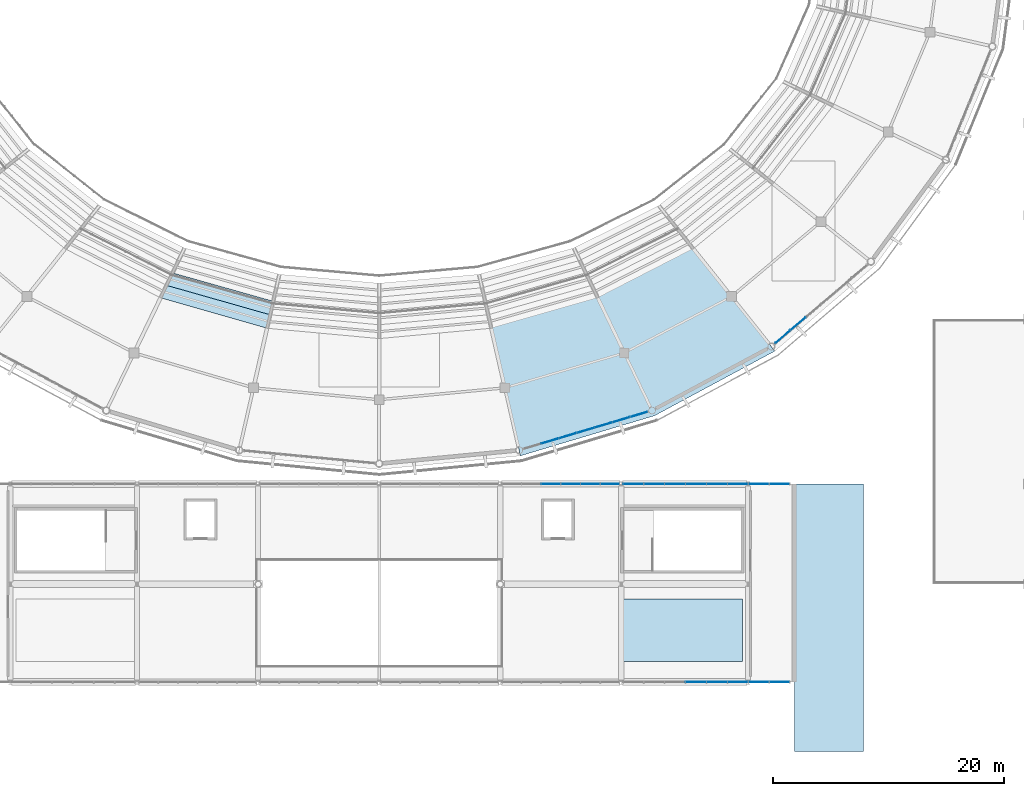
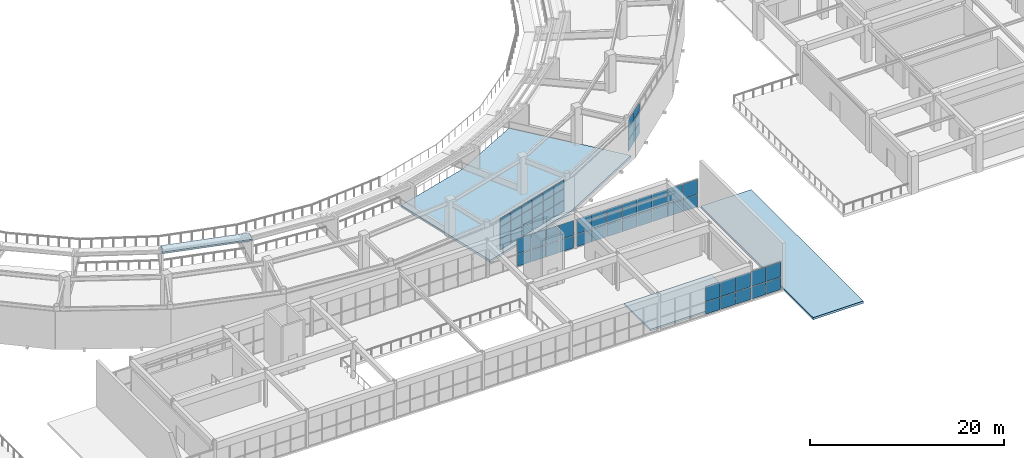
# One storey, part 81 of 122: 58 plates, 5 slabs, 5 elements without a shape of their own.
"""IFC4 building model written with IfcOpenShell, lengths in metres."""

import ifcopenshell
import ifcopenshell.guid

model = None  # the IFC model being written
_history = None  # IfcOwnerHistory: only IFC2X3 demands one
_inside = {}  # id of a spatial element -> (the spatial element, [elements in it])
_under = {}  # id of a project, library or spatial element -> (it, [spatial elements below it])
_declared = {}  # id of a project -> (the project, [libraries it declares])
_typed = {}  # id of a type object -> (the type object, [elements of that type])
_made_of = {}  # id of a material, layer set ... -> (it, [elements and type objects made of it])


def new_model(schema):
    """Start an empty IFC model of exactly this schema.

    Asked for "IFC4X3", IfcOpenShell would pick the latest addendum, in which some entities
    have other attributes; the version numbers below select the first issue.
    IFC2X3 requires an IfcOwnerHistory on every rooted entity: one is made here for all.
    """
    global model, _history
    if schema == "IFC4X3":
        model = ifcopenshell.file(schema_version=(4, 3, 0, 0))
    else:
        model = ifcopenshell.file(schema=schema)
    _inside.clear()
    _under.clear()
    _declared.clear()
    _typed.clear()
    _made_of.clear()
    _history = None
    if model.schema == "IFC2X3":
        org = make("IfcOrganization", Name="unknown")
        user = make(
            "IfcPersonAndOrganization",
            ThePerson=make("IfcPerson", FamilyName="unknown"),
            TheOrganization=org,
        )
        app = make(
            "IfcApplication",
            ApplicationDeveloper=org,
            Version="unknown",
            ApplicationFullName="unknown",
            ApplicationIdentifier="unknown",
        )
        _history = make(
            "IfcOwnerHistory",
            OwningUser=user,
            OwningApplication=app,
            ChangeAction="ADDED",
            CreationDate=0,
        )
    return model


def make(cls, **values):
    """One entity of the class cls with the attributes given. An attribute that is None is left unset."""
    return model.create_entity(
        cls, **{name: value for name, value in values.items() if value is not None}
    )


def rooted(cls, **values):
    """An entity with a GlobalId (a new one), such as an element, a storey or a relation."""
    return make(cls, GlobalId=ifcopenshell.guid.new(), OwnerHistory=_history, **values)


def si_unit(unit_type, name, prefix=None):
    """IfcSIUnit, for example si_unit("LENGTHUNIT", "METRE", prefix="MILLI")."""
    return make("IfcSIUnit", UnitType=unit_type, Prefix=prefix, Name=name)


def assignment(units):
    """IfcUnitAssignment: the units of a project."""
    return None if units is None else make("IfcUnitAssignment", Units=units)


def point(xyz):
    """IfcCartesianPoint."""
    return None if xyz is None else make("IfcCartesianPoint", Coordinates=xyz)


def direction(xyz):
    """IfcDirection."""
    return None if xyz is None else make("IfcDirection", DirectionRatios=xyz)


def frame(location, z_axis=None, x_axis=None):
    """IfcAxis2Placement3D, a coordinate frame: its origin and axes. An axis left out is left unset."""
    return make(
        "IfcAxis2Placement3D",
        Location=point(location),
        Axis=direction(z_axis),
        RefDirection=direction(x_axis),
    )


def frame_2d(location, x_axis=None):
    """IfcAxis2Placement2D, a coordinate frame in the plane: its origin and x axis."""
    return make(
        "IfcAxis2Placement2D", Location=point(location), RefDirection=direction(x_axis)
    )


def origin():
    """The frame at (0, 0, 0) with its axes left unset."""
    return frame((0.0, 0.0, 0.0))


def origin_2d():
    """The frame at (0, 0) in the plane with its x axis left unset."""
    return frame_2d((0.0, 0.0))


def place(relative_to, where):
    """IfcLocalPlacement: puts the frame where relative to a parent placement (None: the world)."""
    return make(
        "IfcLocalPlacement", PlacementRelTo=relative_to, RelativePlacement=where
    )


def context(
    kind, dimensions, precision=None, world=None, true_north=None, identifier=None
):
    """IfcGeometricRepresentationContext, for example the 3D "Model" context."""
    return make(
        "IfcGeometricRepresentationContext",
        ContextIdentifier=identifier,
        ContextType=kind,
        CoordinateSpaceDimension=dimensions,
        Precision=precision,
        WorldCoordinateSystem=world,
        TrueNorth=true_north,
    )


def subcontext(parent, identifier, kind, view, scale=None):
    """IfcGeometricRepresentationSubContext, for example "Body" below "Model"."""
    return make(
        "IfcGeometricRepresentationSubContext",
        ContextIdentifier=identifier,
        ContextType=kind,
        ParentContext=parent,
        TargetScale=scale,
        TargetView=view,
    )


def project(units=None, contexts=None):
    """IfcProject with its units and contexts."""
    return rooted(
        "IfcProject",
        Name="project",
        RepresentationContexts=contexts,
        UnitsInContext=assignment(units),
    )


def spatial(cls, under=None, at=None, **own):
    """A site, building, storey or space (cls), placed at a placement, below another one or the project."""
    s = rooted(cls, ObjectPlacement=at, **own)
    if under is not None:
        _under.setdefault(under.id(), (under, []))[1].append(s)
    return s


def polyline(points):
    """IfcPolyline through the points."""
    return make("IfcPolyline", Points=[point(p) for p in points])


def profile(cls, at=None, kind="AREA", **sizes):
    """A parametric profile (cls). Its sizes go by their IFC names, for example OverallWidth=200.0."""
    return make(cls, ProfileType=kind, Position=at, **sizes)


def rectangle(**sizes):
    """IfcRectangleProfileDef."""
    return profile("IfcRectangleProfileDef", **sizes)


def outline(outer, holes=None, kind="AREA"):
    """IfcArbitraryClosedProfileDef: a profile drawn as a closed curve; with holes, ...WithVoids."""
    if holes is None:
        return make("IfcArbitraryClosedProfileDef", ProfileType=kind, OuterCurve=outer)
    return make(
        "IfcArbitraryProfileDefWithVoids",
        ProfileType=kind,
        OuterCurve=outer,
        InnerCurves=holes,
    )


def extrude(swept, where, along, depth):
    """IfcExtrudedAreaSolid: the profile swept, set in the frame where, extruded along a direction by depth."""
    return make(
        "IfcExtrudedAreaSolid",
        SweptArea=swept,
        Position=where,
        ExtrudedDirection=direction(along),
        Depth=depth,
    )


def shape(context_of_items, identifier, shape_type, items):
    """IfcShapeRepresentation: the items that make up one representation, for example the "Body"."""
    return make(
        "IfcShapeRepresentation",
        ContextOfItems=context_of_items,
        RepresentationIdentifier=identifier,
        RepresentationType=shape_type,
        Items=items,
    )


def material(Name=None, Category=None):
    """IfcMaterial."""
    return make("IfcMaterial", Name=Name, Category=Category)


def layer(
    of_material, thickness, ventilated=None, Name=None, Category=None, Priority=None
):
    """IfcMaterialLayer: one layer of a wall or slab, of a material (None: an air gap)."""
    return make(
        "IfcMaterialLayer",
        Material=of_material,
        LayerThickness=thickness,
        IsVentilated=ventilated,
        Name=Name,
        Category=Category,
        Priority=Priority,
    )


def layer_set(layers, Name=None):
    """IfcMaterialLayerSet."""
    return make("IfcMaterialLayerSet", MaterialLayers=layers, LayerSetName=Name)


def made_of(thing, what):
    """Note that an element or type object is made of a material, layer set ...; save() writes the relation."""
    if what is not None:
        _made_of.setdefault(what.id(), (what, []))[1].append(thing)
    return thing


def type_object(cls, material=None, **own):
    """A type object (cls), such as IfcWallType, which elements share."""
    return made_of(rooted(cls, **own), material)


def element(
    cls,
    number,
    at=None,
    inside=None,
    cuts=None,
    type_object=None,
    material=None,
    context=None,
    identifier="Body",
    shape_type=None,
    held_by="IfcProductDefinitionShape",
    body=None,
    shapes=None,
    **own,
):
    """One element of the class cls, such as IfcWall. Its Tag is "e" and its number.

    at: its placement. inside: the storey or other place that contains it. cuts: it is an
    opening in that element (IfcRelVoidsElement). A single representation is given by context,
    identifier, shape_type and body (its items); several are given by shapes. held_by: the class
    of the entity that holds the representations. save() writes the other relations.
    """
    e = rooted(cls, Tag="e%d" % number, ObjectPlacement=at, **own)
    if body is not None:
        shapes = [shape(context, identifier, shape_type, body)]
    if shapes is not None:
        e.Representation = make(held_by, Representations=shapes)
    if inside is not None:
        _inside.setdefault(inside.id(), (inside, []))[1].append(e)
    if cuts is not None:
        rooted(
            "IfcRelVoidsElement", RelatingBuildingElement=cuts, RelatedOpeningElement=e
        )
    if type_object is not None:
        _typed.setdefault(type_object.id(), (type_object, []))[1].append(e)
    return made_of(e, material)


def aggregate(whole, parts):
    """IfcRelAggregates: a whole, such as a stair, and the parts it consists of."""
    return rooted("IfcRelAggregates", RelatingObject=whole, RelatedObjects=parts)


def save(model, path):
    """Write the relations noted so far, then the file.

    IfcRelAggregates (storeys below a building ...), IfcRelContainedInSpatialStructure (elements
    in a storey), IfcRelDefinesByType, IfcRelAssociatesMaterial and IfcRelDeclares: one each for
    every whole, place, type object, material and project.
    """
    for whole, parts in _under.values():
        aggregate(whole, parts)
    for where, things in _inside.values():
        rooted(
            "IfcRelContainedInSpatialStructure",
            RelatedElements=things,
            RelatingStructure=where,
        )
    for kind, things in _typed.values():
        rooted("IfcRelDefinesByType", RelatedObjects=things, RelatingType=kind)
    for what, things in _made_of.values():
        rooted("IfcRelAssociatesMaterial", RelatedObjects=things, RelatingMaterial=what)
    for by, libraries in _declared.values():
        rooted("IfcRelDeclares", RelatingContext=by, RelatedDefinitions=libraries)
    model.write(path)


model = new_model("IFC4")

# Units and contexts
model_context = context("Model", 3, precision=1e-05, world=origin(), true_north=direction((0.0, 1.0)))
body_context = subcontext(model_context, "Body", "Model", "MODEL_VIEW")
ifc_project = project(units=[si_unit("LENGTHUNIT", "METRE"), si_unit("AREAUNIT", "SQUARE_METRE"), si_unit("VOLUMEUNIT", "CUBIC_METRE"), si_unit("PLANEANGLEUNIT", "RADIAN"), si_unit("MASSUNIT", "GRAM", prefix="KILO")], contexts=[model_context])

# Site, building, storey
site_placement = place(None, origin())
site = spatial("IfcSite", under=ifc_project, at=site_placement, CompositionType="ELEMENT")
building_placement = place(site_placement, origin())
building = spatial("IfcBuilding", under=site, at=building_placement, Name="Cuetzalor Civic Arena", CompositionType="ELEMENT")
storey_placement = place(building_placement, frame((0.0, 0.0, 16.199951171875)))
storey = spatial("IfcBuildingStorey", under=building, at=storey_placement, Name="L03", CompositionType="ELEMENT", Elevation=16.199951171875)

# Curtain wall, plates
ifc_material_1 = material(Name="Anodised dark bronze aluminium and low-E solar glass", Category="aluminium")
curtain_wall_type_1 = type_object("IfcCurtainWallType", Name="UnitisedCW_11300x4050", PredefinedType="USERDEFINED", material=ifc_material_1)
curtain_wall_1_placement = place(storey_placement, origin())
curtain_wall_1 = element("IfcCurtainWall", 1, at=curtain_wall_1_placement, inside=storey, type_object=curtain_wall_type_1, Name="Drum Triangle Foyer Curtain Wall L03-054", ObjectType="UNITISED CURTAIN WALL", PredefinedType="USERDEFINED")
ifc_material_2 = material(Name="Acoustic laminated solar control glass", Category="glass")
ifc_layer_1 = layer(ifc_material_2, 0.0439453125)
ifc_layer_set_1 = layer_set([ifc_layer_1], Name="Acoustic laminated solar control glass")
plate_type_1 = type_object("IfcPlateType", Name="AcousticTripleGlazedPanel_44", PredefinedType="CURTAIN_PANEL", material=ifc_layer_set_1)
plate_1_placement = place(storey_placement, frame((22.532470703125, -42.279296875, 0.06494140625), z_axis=(0.0, 0.0, 1.0), x_axis=(-0.958193690548, -0.286120344251, 0.0)))
plate_1 = element("IfcPlate", 2, at=plate_1_placement, type_object=plate_type_1, Name="CW-15 panel 1.1", PredefinedType="CURTAIN_PANEL", context=body_context, shape_type="SweptSolid", body=[
    extrude(rectangle(XDim=1.518310546875, YDim=0.0439453125, at=origin_2d()), origin(), (0.0, 0.0, 1.0), 1.361572265625),
])
plate_2_placement = place(storey_placement, frame((22.532470703125, -42.279296875, 1.491455078125), z_axis=(0.0, 0.0, 1.0), x_axis=(-0.958193690548, -0.286120344251, 0.0)))
plate_2 = element("IfcPlate", 3, at=plate_2_placement, type_object=plate_type_1, Name="CW-15 panel 1.2", PredefinedType="CURTAIN_PANEL", context=body_context, shape_type="SweptSolid", body=[
    extrude(rectangle(XDim=1.518310546875, YDim=0.0439453125, at=origin_2d()), origin(), (0.0, 0.0, 1.0), 1.39404296875),
])
plate_3_placement = place(storey_placement, frame((22.532470703125, -42.279296875, 2.950439453125), z_axis=(0.0, 0.0, 1.0), x_axis=(-0.958193690548, -0.286120344251, 0.0)))
plate_3 = element("IfcPlate", 4, at=plate_3_placement, type_object=plate_type_1, Name="CW-15 panel 1.3", PredefinedType="CURTAIN_PANEL", context=body_context, shape_type="SweptSolid", body=[
    extrude(rectangle(XDim=1.518310546875, YDim=0.0439453125, at=origin_2d()), origin(), (0.0, 0.0, 1.0), 1.03759765625),
])
plate_4_placement = place(storey_placement, frame((20.999755859375, -42.73681640625, 0.06494140625), z_axis=(0.0, 0.0, 1.0), x_axis=(-0.958193690548, -0.286120344251, 0.0)))
plate_4 = element("IfcPlate", 5, at=plate_4_placement, type_object=plate_type_1, Name="CW-15 panel 2.1", PredefinedType="CURTAIN_PANEL", context=body_context, shape_type="SweptSolid", body=[
    extrude(rectangle(XDim=1.55078125, YDim=0.0439453125, at=origin_2d()), origin(), (0.0, 0.0, 1.0), 1.361572265625),
])
plate_5_placement = place(storey_placement, frame((20.999755859375, -42.73681640625, 1.491455078125), z_axis=(0.0, 0.0, 1.0), x_axis=(-0.958193690548, -0.286120344251, 0.0)))
plate_5 = element("IfcPlate", 6, at=plate_5_placement, type_object=plate_type_1, Name="CW-15 panel 2.2", PredefinedType="CURTAIN_PANEL", context=body_context, shape_type="SweptSolid", body=[
    extrude(rectangle(XDim=1.55078125, YDim=0.0439453125, at=origin_2d()), origin(), (0.0, 0.0, 1.0), 1.39404296875),
])
plate_6_placement = place(storey_placement, frame((20.999755859375, -42.73681640625, 2.950439453125), z_axis=(0.0, 0.0, 1.0), x_axis=(-0.958193690548, -0.286120344251, 0.0)))
plate_6 = element("IfcPlate", 7, at=plate_6_placement, type_object=plate_type_1, Name="CW-15 panel 2.3", PredefinedType="CURTAIN_PANEL", context=body_context, shape_type="SweptSolid", body=[
    extrude(rectangle(XDim=1.55078125, YDim=0.0439453125, at=origin_2d()), origin(), (0.0, 0.0, 1.0), 1.03759765625),
])
plate_7_placement = place(storey_placement, frame((19.45166015625, -43.19921875, 0.06494140625), z_axis=(0.0, 0.0, 1.0), x_axis=(-0.958193690548, -0.286120344251, 0.0)))
plate_7 = element("IfcPlate", 8, at=plate_7_placement, type_object=plate_type_1, Name="CW-15 panel 3.1", PredefinedType="CURTAIN_PANEL", context=body_context, shape_type="SweptSolid", body=[
    extrude(rectangle(XDim=1.55078125, YDim=0.0439453125, at=origin_2d()), origin(), (0.0, 0.0, 1.0), 1.361572265625),
])
plate_8_placement = place(storey_placement, frame((19.45166015625, -43.19921875, 1.491455078125), z_axis=(0.0, 0.0, 1.0), x_axis=(-0.958193690548, -0.286120344251, 0.0)))
plate_8 = element("IfcPlate", 9, at=plate_8_placement, type_object=plate_type_1, Name="CW-15 panel 3.2", PredefinedType="CURTAIN_PANEL", context=body_context, shape_type="SweptSolid", body=[
    extrude(rectangle(XDim=1.55078125, YDim=0.0439453125, at=origin_2d()), origin(), (0.0, 0.0, 1.0), 1.39404296875),
])
plate_9_placement = place(storey_placement, frame((19.45166015625, -43.19921875, 2.950439453125), z_axis=(0.0, 0.0, 1.0), x_axis=(-0.958193690548, -0.286120344251, 0.0)))
plate_9 = element("IfcPlate", 10, at=plate_9_placement, type_object=plate_type_1, Name="CW-15 panel 3.3", PredefinedType="CURTAIN_PANEL", context=body_context, shape_type="SweptSolid", body=[
    extrude(rectangle(XDim=1.55078125, YDim=0.0439453125, at=origin_2d()), origin(), (0.0, 0.0, 1.0), 1.03759765625),
])
plate_10_placement = place(storey_placement, frame((17.903564453125, -43.66162109375, 0.06494140625), z_axis=(0.0, 0.0, 1.0), x_axis=(-0.958193690548, -0.286120344251, 0.0)))
plate_10 = element("IfcPlate", 11, at=plate_10_placement, type_object=plate_type_1, Name="CW-15 panel 4.1", PredefinedType="CURTAIN_PANEL", context=body_context, shape_type="SweptSolid", body=[
    extrude(rectangle(XDim=1.55078125, YDim=0.0439453125, at=origin_2d()), origin(), (0.0, 0.0, 1.0), 1.361572265625),
])
plate_11_placement = place(storey_placement, frame((17.903564453125, -43.66162109375, 1.491455078125), z_axis=(0.0, 0.0, 1.0), x_axis=(-0.958193690548, -0.286120344251, 0.0)))
plate_11 = element("IfcPlate", 12, at=plate_11_placement, type_object=plate_type_1, Name="CW-15 panel 4.2", PredefinedType="CURTAIN_PANEL", context=body_context, shape_type="SweptSolid", body=[
    extrude(rectangle(XDim=1.55078125, YDim=0.0439453125, at=origin_2d()), origin(), (0.0, 0.0, 1.0), 1.39404296875),
])
plate_12_placement = place(storey_placement, frame((17.903564453125, -43.66162109375, 2.950439453125), z_axis=(0.0, 0.0, 1.0), x_axis=(-0.958193690548, -0.286120344251, 0.0)))
plate_12 = element("IfcPlate", 13, at=plate_12_placement, type_object=plate_type_1, Name="CW-15 panel 4.3", PredefinedType="CURTAIN_PANEL", context=body_context, shape_type="SweptSolid", body=[
    extrude(rectangle(XDim=1.55078125, YDim=0.0439453125, at=origin_2d()), origin(), (0.0, 0.0, 1.0), 1.03759765625),
])
plate_13_placement = place(storey_placement, frame((16.355224609375, -44.123779296875, 0.06494140625), z_axis=(0.0, 0.0, 1.0), x_axis=(-0.958193690548, -0.286120344251, 0.0)))
plate_13 = element("IfcPlate", 14, at=plate_13_placement, type_object=plate_type_1, Name="CW-15 panel 5.1", PredefinedType="CURTAIN_PANEL", context=body_context, shape_type="SweptSolid", body=[
    extrude(rectangle(XDim=1.55078125, YDim=0.0439453125, at=origin_2d()), origin(), (0.0, 0.0, 1.0), 1.361572265625),
])
plate_14_placement = place(storey_placement, frame((16.355224609375, -44.123779296875, 1.491455078125), z_axis=(0.0, 0.0, 1.0), x_axis=(-0.958193690548, -0.286120344251, 0.0)))
plate_14 = element("IfcPlate", 15, at=plate_14_placement, type_object=plate_type_1, Name="CW-15 panel 5.2", PredefinedType="CURTAIN_PANEL", context=body_context, shape_type="SweptSolid", body=[
    extrude(rectangle(XDim=1.55078125, YDim=0.0439453125, at=origin_2d()), origin(), (0.0, 0.0, 1.0), 1.39404296875),
])
plate_15_placement = place(storey_placement, frame((16.355224609375, -44.123779296875, 2.950439453125), z_axis=(0.0, 0.0, 1.0), x_axis=(-0.958193690548, -0.286120344251, 0.0)))
plate_15 = element("IfcPlate", 16, at=plate_15_placement, type_object=plate_type_1, Name="CW-15 panel 5.3", PredefinedType="CURTAIN_PANEL", context=body_context, shape_type="SweptSolid", body=[
    extrude(rectangle(XDim=1.55078125, YDim=0.0439453125, at=origin_2d()), origin(), (0.0, 0.0, 1.0), 1.03759765625),
])
plate_16_placement = place(storey_placement, frame((14.80712890625, -44.586181640625, 0.06494140625), z_axis=(0.0, 0.0, 1.0), x_axis=(-0.958193690548, -0.286120344251, 0.0)))
plate_16 = element("IfcPlate", 17, at=plate_16_placement, type_object=plate_type_1, Name="CW-15 panel 6.1", PredefinedType="CURTAIN_PANEL", context=body_context, shape_type="SweptSolid", body=[
    extrude(rectangle(XDim=1.55078125, YDim=0.0439453125, at=origin_2d()), origin(), (0.0, 0.0, 1.0), 1.361572265625),
])
plate_17_placement = place(storey_placement, frame((14.80712890625, -44.586181640625, 1.491455078125), z_axis=(0.0, 0.0, 1.0), x_axis=(-0.958193690548, -0.286120344251, 0.0)))
plate_17 = element("IfcPlate", 18, at=plate_17_placement, type_object=plate_type_1, Name="CW-15 panel 6.2", PredefinedType="CURTAIN_PANEL", context=body_context, shape_type="SweptSolid", body=[
    extrude(rectangle(XDim=1.55078125, YDim=0.0439453125, at=origin_2d()), origin(), (0.0, 0.0, 1.0), 1.39404296875),
])
plate_18_placement = place(storey_placement, frame((14.80712890625, -44.586181640625, 2.950439453125), z_axis=(0.0, 0.0, 1.0), x_axis=(-0.958193690548, -0.286120344251, 0.0)))
plate_18 = element("IfcPlate", 19, at=plate_18_placement, type_object=plate_type_1, Name="CW-15 panel 6.3", PredefinedType="CURTAIN_PANEL", context=body_context, shape_type="SweptSolid", body=[
    extrude(rectangle(XDim=1.55078125, YDim=0.0439453125, at=origin_2d()), origin(), (0.0, 0.0, 1.0), 1.03759765625),
])
aggregate(curtain_wall_1, [plate_1, plate_2, plate_3, plate_4, plate_5, plate_6, plate_7, plate_8, plate_9, plate_10, plate_11, plate_12, plate_13, plate_14, plate_15, plate_16, plate_17, plate_18])

ifc_material_3 = material(Name="Anodised dark bronze aluminium and low-E solar glass", Category="aluminium")
curtain_wall_type_2 = type_object("IfcCurtainWallType", Name="UnitisedCW_10550x4050", PredefinedType="USERDEFINED", material=ifc_material_3)
curtain_wall_2_placement = place(storey_placement, origin())
curtain_wall_2 = element("IfcCurtainWall", 20, at=curtain_wall_2_placement, inside=storey, type_object=curtain_wall_type_2, Name="Drum Triangle Foyer Curtain Wall L03-055", ObjectType="UNITISED CURTAIN WALL", PredefinedType="USERDEFINED")
plate_19_placement = place(storey_placement, frame((36.327392578125, -34.41796875, 0.06494140625), z_axis=(0.0, 0.0, 1.0), x_axis=(-0.760677142663, -0.64913040649, 0.0)))
plate_19 = element("IfcPlate", 21, at=plate_19_placement, type_object=plate_type_1, Name="CW-16 panel 5.1", PredefinedType="CURTAIN_PANEL", context=body_context, shape_type="SweptSolid", body=[
    extrude(rectangle(XDim=1.690185546875, YDim=0.0439453125, at=origin_2d()), origin(), (0.0, 0.0, 1.0), 1.361572265625),
])
plate_20_placement = place(storey_placement, frame((36.327392578125, -34.41796875, 1.491455078125), z_axis=(0.0, 0.0, 1.0), x_axis=(-0.760677142663, -0.64913040649, 0.0)))
plate_20 = element("IfcPlate", 22, at=plate_20_placement, type_object=plate_type_1, Name="CW-16 panel 5.2", PredefinedType="CURTAIN_PANEL", context=body_context, shape_type="SweptSolid", body=[
    extrude(rectangle(XDim=1.690185546875, YDim=0.0439453125, at=origin_2d()), origin(), (0.0, 0.0, 1.0), 1.39404296875),
])
plate_21_placement = place(storey_placement, frame((36.327392578125, -34.41796875, 2.950439453125), z_axis=(0.0, 0.0, 1.0), x_axis=(-0.760677142663, -0.64913040649, 0.0)))
plate_21 = element("IfcPlate", 23, at=plate_21_placement, type_object=plate_type_1, Name="CW-16 panel 5.3", PredefinedType="CURTAIN_PANEL", context=body_context, shape_type="SweptSolid", body=[
    extrude(rectangle(XDim=1.690185546875, YDim=0.0439453125, at=origin_2d()), origin(), (0.0, 0.0, 1.0), 1.03759765625),
])
plate_22_placement = place(storey_placement, frame((35.004638671875, -35.546630859375, 0.06494140625), z_axis=(0.0, 0.0, 1.0), x_axis=(-0.760677142663, -0.64913040649, 0.0)))
plate_22 = element("IfcPlate", 24, at=plate_22_placement, type_object=plate_type_1, Name="CW-16 panel 6.1", PredefinedType="CURTAIN_PANEL", context=body_context, shape_type="SweptSolid", body=[
    extrude(rectangle(XDim=1.65771484375, YDim=0.0439453125, at=origin_2d()), origin(), (0.0, 0.0, 1.0), 1.361572265625),
])
plate_23_placement = place(storey_placement, frame((35.004638671875, -35.546630859375, 1.491455078125), z_axis=(0.0, 0.0, 1.0), x_axis=(-0.760677142663, -0.64913040649, 0.0)))
plate_23 = element("IfcPlate", 25, at=plate_23_placement, type_object=plate_type_1, Name="CW-16 panel 6.2", PredefinedType="CURTAIN_PANEL", context=body_context, shape_type="SweptSolid", body=[
    extrude(rectangle(XDim=1.65771484375, YDim=0.0439453125, at=origin_2d()), origin(), (0.0, 0.0, 1.0), 1.39404296875),
])
plate_24_placement = place(storey_placement, frame((35.004638671875, -35.546630859375, 2.950439453125), z_axis=(0.0, 0.0, 1.0), x_axis=(-0.760677142663, -0.64913040649, 0.0)))
plate_24 = element("IfcPlate", 26, at=plate_24_placement, type_object=plate_type_1, Name="CW-16 panel 6.3", PredefinedType="CURTAIN_PANEL", context=body_context, shape_type="SweptSolid", body=[
    extrude(rectangle(XDim=1.65771484375, YDim=0.0439453125, at=origin_2d()), origin(), (0.0, 0.0, 1.0), 1.03759765625),
])
aggregate(curtain_wall_2, [plate_19, plate_20, plate_21, plate_22, plate_23, plate_24])

# Slab
ifc_material_4 = material(Name="Concrete C40/50", Category="concrete")
ifc_layer_2 = layer(ifc_material_4, 0.219970703125)
ifc_layer_set_2 = layer_set([ifc_layer_2], Name="Concrete C40/50")
slab_type_1 = type_object("IfcSlabType", Name="LiftShaftRoofCapSlab_220", PredefinedType="ROOF", material=ifc_layer_set_2)
slab_1_placement = place(storey_placement, frame((0.0, 0.0, -1.199951171875)))
element("IfcSlab", 27, at=slab_1_placement, inside=storey, type_object=slab_type_1, Name="Stair Core Enclosure Cap Slab ST-12", PredefinedType="ROOF", context=body_context, shape_type="SweptSolid", body=[
    extrude(outline(polyline([(21.080078125, -63.719970703125), (31.52001953125, -63.719970703125), (31.52001953125, -58.280029296875), (21.080078125, -58.280029296875), (21.080078125, -63.719970703125)])), origin(), (0.0, 0.0, 1.0), 0.219970703125),
])

# Curtain wall, plates
ifc_material_5 = material(Name="Anodised dark bronze aluminium and low-E solar glass", Category="aluminium")
curtain_wall_type_3 = type_object("IfcCurtainWallType", Name="StickCW_10250x3600", PredefinedType="USERDEFINED", material=ifc_material_5)
curtain_wall_3_placement = place(storey_placement, origin())
curtain_wall_3 = element("IfcCurtainWall", 28, at=curtain_wall_3_placement, inside=storey, type_object=curtain_wall_type_3, Name="Foyer North Clerestory Curtain Wall L03-100", ObjectType="STICK CURTAIN WALL", PredefinedType="USERDEFINED")
ifc_material_6 = material(Name="Low-E laminated solar control glass", Category="glass")
ifc_layer_3 = layer(ifc_material_6, 0.031982421875)
ifc_layer_set_3 = layer_set([ifc_layer_3], Name="Low-E laminated solar control glass")
plate_type_2 = type_object("IfcPlateType", Name="SolarControlGlazedPanel_32", PredefinedType="CURTAIN_PANEL", material=ifc_layer_set_3)
plate_25_placement = place(storey_placement, frame((14.895751953125, -48.300048828125, 0.06494140625), z_axis=(0.0, 0.0, 1.0), x_axis=(1.0, 0.0, 0.0)))
plate_25 = element("IfcPlate", 29, at=plate_25_placement, type_object=plate_type_2, Name="CW-29 panel 3.1", PredefinedType="CURTAIN_PANEL", context=body_context, shape_type="SweptSolid", body=[
    extrude(rectangle(XDim=1.6435546875, YDim=0.031982421875, at=origin_2d()), origin(), (0.0, 0.0, 1.0), 1.531494140625),
])
plate_26_placement = place(storey_placement, frame((14.895751953125, -48.300048828125, 1.66162109375), z_axis=(0.0, 0.0, 1.0), x_axis=(1.0, 0.0, 0.0)))
plate_26 = element("IfcPlate", 30, at=plate_26_placement, type_object=plate_type_2, Name="CW-29 panel 3.2", PredefinedType="CURTAIN_PANEL", context=body_context, shape_type="SweptSolid", body=[
    extrude(rectangle(XDim=1.6435546875, YDim=0.031982421875, at=origin_2d()), origin(), (0.0, 0.0, 1.0), 1.8935546875),
])
plate_27_placement = place(storey_placement, frame((16.604248046875, -48.300048828125, 0.06494140625), z_axis=(0.0, 0.0, 1.0), x_axis=(1.0, 0.0, 0.0)))
plate_27 = element("IfcPlate", 31, at=plate_27_placement, type_object=plate_type_2, Name="CW-29 panel 4.1", PredefinedType="CURTAIN_PANEL", context=body_context, shape_type="SweptSolid", body=[
    extrude(rectangle(XDim=1.6435546875, YDim=0.031982421875, at=origin_2d()), origin(), (0.0, 0.0, 1.0), 1.531494140625),
])
plate_28_placement = place(storey_placement, frame((16.604248046875, -48.300048828125, 1.66162109375), z_axis=(0.0, 0.0, 1.0), x_axis=(1.0, 0.0, 0.0)))
plate_28 = element("IfcPlate", 32, at=plate_28_placement, type_object=plate_type_2, Name="CW-29 panel 4.2", PredefinedType="CURTAIN_PANEL", context=body_context, shape_type="SweptSolid", body=[
    extrude(rectangle(XDim=1.6435546875, YDim=0.031982421875, at=origin_2d()), origin(), (0.0, 0.0, 1.0), 1.8935546875),
])
plate_29_placement = place(storey_placement, frame((18.312744140625, -48.300048828125, 0.06494140625), z_axis=(0.0, 0.0, 1.0), x_axis=(1.0, 0.0, 0.0)))
plate_29 = element("IfcPlate", 33, at=plate_29_placement, type_object=plate_type_2, Name="CW-29 panel 5.1", PredefinedType="CURTAIN_PANEL", context=body_context, shape_type="SweptSolid", body=[
    extrude(rectangle(XDim=1.6435546875, YDim=0.031982421875, at=origin_2d()), origin(), (0.0, 0.0, 1.0), 1.531494140625),
])
plate_30_placement = place(storey_placement, frame((18.312744140625, -48.300048828125, 1.66162109375), z_axis=(0.0, 0.0, 1.0), x_axis=(1.0, 0.0, 0.0)))
plate_30 = element("IfcPlate", 34, at=plate_30_placement, type_object=plate_type_2, Name="CW-29 panel 5.2", PredefinedType="CURTAIN_PANEL", context=body_context, shape_type="SweptSolid", body=[
    extrude(rectangle(XDim=1.6435546875, YDim=0.031982421875, at=origin_2d()), origin(), (0.0, 0.0, 1.0), 1.8935546875),
])
plate_31_placement = place(storey_placement, frame((20.0048828125, -48.300048828125, 0.06494140625), z_axis=(0.0, 0.0, 1.0), x_axis=(1.0, 0.0, 0.0)))
plate_31 = element("IfcPlate", 35, at=plate_31_placement, type_object=plate_type_2, Name="CW-29 panel 6.1", PredefinedType="CURTAIN_PANEL", context=body_context, shape_type="SweptSolid", body=[
    extrude(rectangle(XDim=1.611083984375, YDim=0.031982421875, at=origin_2d()), origin(), (0.0, 0.0, 1.0), 1.531494140625),
])
plate_32_placement = place(storey_placement, frame((20.0048828125, -48.300048828125, 1.66162109375), z_axis=(0.0, 0.0, 1.0), x_axis=(1.0, 0.0, 0.0)))
plate_32 = element("IfcPlate", 36, at=plate_32_placement, type_object=plate_type_2, Name="CW-29 panel 6.2", PredefinedType="CURTAIN_PANEL", context=body_context, shape_type="SweptSolid", body=[
    extrude(rectangle(XDim=1.611083984375, YDim=0.031982421875, at=origin_2d()), origin(), (0.0, 0.0, 1.0), 1.8935546875),
])
aggregate(curtain_wall_3, [plate_25, plate_26, plate_27, plate_28, plate_29, plate_30, plate_31, plate_32])

ifc_material_7 = material(Name="Anodised dark bronze aluminium and low-E solar glass", Category="aluminium")
curtain_wall_type_4 = type_object("IfcCurtainWallType", Name="StickCW_14550x3600", PredefinedType="USERDEFINED", material=ifc_material_7)
curtain_wall_4_placement = place(storey_placement, origin())
curtain_wall_4 = element("IfcCurtainWall", 37, at=curtain_wall_4_placement, inside=storey, type_object=curtain_wall_type_4, Name="Foyer Vault Clerestory Curtain Wall L03-101", ObjectType="STICK CURTAIN WALL", PredefinedType="USERDEFINED")
plate_33_placement = place(storey_placement, frame((34.725830078125, -65.5, 0.06494140625), z_axis=(0.0, 0.0, 1.0), x_axis=(-1.0, 0.0, 0.0)))
plate_33 = element("IfcPlate", 38, at=plate_33_placement, type_object=plate_type_2, Name="CW-28 panel 1.1", PredefinedType="CURTAIN_PANEL", context=body_context, shape_type="SweptSolid", body=[
    extrude(rectangle(XDim=1.71826171875, YDim=0.031982421875, at=origin_2d()), origin(), (0.0, 0.0, 1.0), 1.531494140625),
])
plate_34_placement = place(storey_placement, frame((34.725830078125, -65.5, 1.66162109375), z_axis=(0.0, 0.0, 1.0), x_axis=(-1.0, 0.0, 0.0)))
plate_34 = element("IfcPlate", 39, at=plate_34_placement, type_object=plate_type_2, Name="CW-28 panel 1.2", PredefinedType="CURTAIN_PANEL", context=body_context, shape_type="SweptSolid", body=[
    extrude(rectangle(XDim=1.71826171875, YDim=0.031982421875, at=origin_2d()), origin(), (0.0, 0.0, 1.0), 1.8935546875),
])
plate_35_placement = place(storey_placement, frame((32.926513671875, -65.5, 0.06494140625), z_axis=(0.0, 0.0, 1.0), x_axis=(-1.0, 0.0, 0.0)))
plate_35 = element("IfcPlate", 40, at=plate_35_placement, type_object=plate_type_2, Name="CW-28 panel 2.1", PredefinedType="CURTAIN_PANEL", context=body_context, shape_type="SweptSolid", body=[
    extrude(rectangle(XDim=1.750732421875, YDim=0.031982421875, at=origin_2d()), origin(), (0.0, 0.0, 1.0), 1.531494140625),
])
plate_36_placement = place(storey_placement, frame((32.926513671875, -65.5, 1.66162109375), z_axis=(0.0, 0.0, 1.0), x_axis=(-1.0, 0.0, 0.0)))
plate_36 = element("IfcPlate", 41, at=plate_36_placement, type_object=plate_type_2, Name="CW-28 panel 2.2", PredefinedType="CURTAIN_PANEL", context=body_context, shape_type="SweptSolid", body=[
    extrude(rectangle(XDim=1.750732421875, YDim=0.031982421875, at=origin_2d()), origin(), (0.0, 0.0, 1.0), 1.8935546875),
])
plate_37_placement = place(storey_placement, frame((31.11083984375, -65.5, 0.06494140625), z_axis=(0.0, 0.0, 1.0), x_axis=(-1.0, 0.0, 0.0)))
plate_37 = element("IfcPlate", 42, at=plate_37_placement, type_object=plate_type_2, Name="CW-28 panel 3.1", PredefinedType="CURTAIN_PANEL", context=body_context, shape_type="SweptSolid", body=[
    extrude(rectangle(XDim=1.750732421875, YDim=0.031982421875, at=origin_2d()), origin(), (0.0, 0.0, 1.0), 1.531494140625),
])
plate_38_placement = place(storey_placement, frame((31.11083984375, -65.5, 1.66162109375), z_axis=(0.0, 0.0, 1.0), x_axis=(-1.0, 0.0, 0.0)))
plate_38 = element("IfcPlate", 43, at=plate_38_placement, type_object=plate_type_2, Name="CW-28 panel 3.2", PredefinedType="CURTAIN_PANEL", context=body_context, shape_type="SweptSolid", body=[
    extrude(rectangle(XDim=1.750732421875, YDim=0.031982421875, at=origin_2d()), origin(), (0.0, 0.0, 1.0), 1.8935546875),
])
plate_39_placement = place(storey_placement, frame((29.295166015625, -65.5, 0.06494140625), z_axis=(0.0, 0.0, 1.0), x_axis=(-1.0, 0.0, 0.0)))
plate_39 = element("IfcPlate", 44, at=plate_39_placement, type_object=plate_type_2, Name="CW-28 panel 4.1", PredefinedType="CURTAIN_PANEL", context=body_context, shape_type="SweptSolid", body=[
    extrude(rectangle(XDim=1.750732421875, YDim=0.031982421875, at=origin_2d()), origin(), (0.0, 0.0, 1.0), 1.531494140625),
])
plate_40_placement = place(storey_placement, frame((29.295166015625, -65.5, 1.66162109375), z_axis=(0.0, 0.0, 1.0), x_axis=(-1.0, 0.0, 0.0)))
plate_40 = element("IfcPlate", 45, at=plate_40_placement, type_object=plate_type_2, Name="CW-28 panel 4.2", PredefinedType="CURTAIN_PANEL", context=body_context, shape_type="SweptSolid", body=[
    extrude(rectangle(XDim=1.750732421875, YDim=0.031982421875, at=origin_2d()), origin(), (0.0, 0.0, 1.0), 1.8935546875),
])
plate_41_placement = place(storey_placement, frame((27.4794921875, -65.5, 0.06494140625), z_axis=(0.0, 0.0, 1.0), x_axis=(-1.0, 0.0, 0.0)))
plate_41 = element("IfcPlate", 46, at=plate_41_placement, type_object=plate_type_2, Name="CW-28 panel 5.1", PredefinedType="CURTAIN_PANEL", context=body_context, shape_type="SweptSolid", body=[
    extrude(rectangle(XDim=1.750732421875, YDim=0.031982421875, at=origin_2d()), origin(), (0.0, 0.0, 1.0), 1.531494140625),
])
plate_42_placement = place(storey_placement, frame((27.4794921875, -65.5, 1.66162109375), z_axis=(0.0, 0.0, 1.0), x_axis=(-1.0, 0.0, 0.0)))
plate_42 = element("IfcPlate", 47, at=plate_42_placement, type_object=plate_type_2, Name="CW-28 panel 5.2", PredefinedType="CURTAIN_PANEL", context=body_context, shape_type="SweptSolid", body=[
    extrude(rectangle(XDim=1.750732421875, YDim=0.031982421875, at=origin_2d()), origin(), (0.0, 0.0, 1.0), 1.8935546875),
])
aggregate(curtain_wall_4, [plate_33, plate_34, plate_35, plate_36, plate_37, plate_38, plate_39, plate_40, plate_41, plate_42])

curtain_wall_5_placement = place(storey_placement, origin())
curtain_wall_5 = element("IfcCurtainWall", 48, at=curtain_wall_5_placement, inside=storey, type_object=curtain_wall_type_4, Name="Foyer North Clerestory Curtain Wall L03-102", ObjectType="STICK CURTAIN WALL", PredefinedType="USERDEFINED")
plate_43_placement = place(storey_placement, frame((22.048583984375, -48.300048828125, 0.06494140625), z_axis=(0.0, 0.0, 1.0), x_axis=(1.0, 0.0, 0.0)))
plate_43 = element("IfcPlate", 49, at=plate_43_placement, type_object=plate_type_2, Name="CW-28 panel 1.1", PredefinedType="CURTAIN_PANEL", context=body_context, shape_type="SweptSolid", body=[
    extrude(rectangle(XDim=1.71826171875, YDim=0.031982421875, at=origin_2d()), origin(), (0.0, 0.0, 1.0), 1.531494140625),
])
plate_44_placement = place(storey_placement, frame((22.048583984375, -48.300048828125, 1.66162109375), z_axis=(0.0, 0.0, 1.0), x_axis=(1.0, 0.0, 0.0)))
plate_44 = element("IfcPlate", 50, at=plate_44_placement, type_object=plate_type_2, Name="CW-28 panel 1.2", PredefinedType="CURTAIN_PANEL", context=body_context, shape_type="SweptSolid", body=[
    extrude(rectangle(XDim=1.71826171875, YDim=0.031982421875, at=origin_2d()), origin(), (0.0, 0.0, 1.0), 1.8935546875),
])
plate_45_placement = place(storey_placement, frame((23.84814453125, -48.300048828125, 0.06494140625), z_axis=(0.0, 0.0, 1.0), x_axis=(1.0, 0.0, 0.0)))
plate_45 = element("IfcPlate", 51, at=plate_45_placement, type_object=plate_type_2, Name="CW-28 panel 2.1", PredefinedType="CURTAIN_PANEL", context=body_context, shape_type="SweptSolid", body=[
    extrude(rectangle(XDim=1.750732421875, YDim=0.031982421875, at=origin_2d()), origin(), (0.0, 0.0, 1.0), 1.531494140625),
])
plate_46_placement = place(storey_placement, frame((23.84814453125, -48.300048828125, 1.66162109375), z_axis=(0.0, 0.0, 1.0), x_axis=(1.0, 0.0, 0.0)))
plate_46 = element("IfcPlate", 52, at=plate_46_placement, type_object=plate_type_2, Name="CW-28 panel 2.2", PredefinedType="CURTAIN_PANEL", context=body_context, shape_type="SweptSolid", body=[
    extrude(rectangle(XDim=1.750732421875, YDim=0.031982421875, at=origin_2d()), origin(), (0.0, 0.0, 1.0), 1.8935546875),
])
plate_47_placement = place(storey_placement, frame((25.663818359375, -48.300048828125, 0.06494140625), z_axis=(0.0, 0.0, 1.0), x_axis=(1.0, 0.0, 0.0)))
plate_47 = element("IfcPlate", 53, at=plate_47_placement, type_object=plate_type_2, Name="CW-28 panel 3.1", PredefinedType="CURTAIN_PANEL", context=body_context, shape_type="SweptSolid", body=[
    extrude(rectangle(XDim=1.750732421875, YDim=0.031982421875, at=origin_2d()), origin(), (0.0, 0.0, 1.0), 1.531494140625),
])
plate_48_placement = place(storey_placement, frame((25.663818359375, -48.300048828125, 1.66162109375), z_axis=(0.0, 0.0, 1.0), x_axis=(1.0, 0.0, 0.0)))
plate_48 = element("IfcPlate", 54, at=plate_48_placement, type_object=plate_type_2, Name="CW-28 panel 3.2", PredefinedType="CURTAIN_PANEL", context=body_context, shape_type="SweptSolid", body=[
    extrude(rectangle(XDim=1.750732421875, YDim=0.031982421875, at=origin_2d()), origin(), (0.0, 0.0, 1.0), 1.8935546875),
])
plate_49_placement = place(storey_placement, frame((27.4794921875, -48.300048828125, 0.06494140625), z_axis=(0.0, 0.0, 1.0), x_axis=(1.0, 0.0, 0.0)))
plate_49 = element("IfcPlate", 55, at=plate_49_placement, type_object=plate_type_2, Name="CW-28 panel 4.1", PredefinedType="CURTAIN_PANEL", context=body_context, shape_type="SweptSolid", body=[
    extrude(rectangle(XDim=1.750732421875, YDim=0.031982421875, at=origin_2d()), origin(), (0.0, 0.0, 1.0), 1.531494140625),
])
plate_50_placement = place(storey_placement, frame((27.4794921875, -48.300048828125, 1.66162109375), z_axis=(0.0, 0.0, 1.0), x_axis=(1.0, 0.0, 0.0)))
plate_50 = element("IfcPlate", 56, at=plate_50_placement, type_object=plate_type_2, Name="CW-28 panel 4.2", PredefinedType="CURTAIN_PANEL", context=body_context, shape_type="SweptSolid", body=[
    extrude(rectangle(XDim=1.750732421875, YDim=0.031982421875, at=origin_2d()), origin(), (0.0, 0.0, 1.0), 1.8935546875),
])
plate_51_placement = place(storey_placement, frame((29.295166015625, -48.300048828125, 0.06494140625), z_axis=(0.0, 0.0, 1.0), x_axis=(1.0, 0.0, 0.0)))
plate_51 = element("IfcPlate", 57, at=plate_51_placement, type_object=plate_type_2, Name="CW-28 panel 5.1", PredefinedType="CURTAIN_PANEL", context=body_context, shape_type="SweptSolid", body=[
    extrude(rectangle(XDim=1.750732421875, YDim=0.031982421875, at=origin_2d()), origin(), (0.0, 0.0, 1.0), 1.531494140625),
])
plate_52_placement = place(storey_placement, frame((29.295166015625, -48.300048828125, 1.66162109375), z_axis=(0.0, 0.0, 1.0), x_axis=(1.0, 0.0, 0.0)))
plate_52 = element("IfcPlate", 58, at=plate_52_placement, type_object=plate_type_2, Name="CW-28 panel 5.2", PredefinedType="CURTAIN_PANEL", context=body_context, shape_type="SweptSolid", body=[
    extrude(rectangle(XDim=1.750732421875, YDim=0.031982421875, at=origin_2d()), origin(), (0.0, 0.0, 1.0), 1.8935546875),
])
plate_53_placement = place(storey_placement, frame((31.11083984375, -48.300048828125, 0.06494140625), z_axis=(0.0, 0.0, 1.0), x_axis=(1.0, 0.0, 0.0)))
plate_53 = element("IfcPlate", 59, at=plate_53_placement, type_object=plate_type_2, Name="CW-28 panel 6.1", PredefinedType="CURTAIN_PANEL", context=body_context, shape_type="SweptSolid", body=[
    extrude(rectangle(XDim=1.750732421875, YDim=0.031982421875, at=origin_2d()), origin(), (0.0, 0.0, 1.0), 1.531494140625),
])
plate_54_placement = place(storey_placement, frame((31.11083984375, -48.300048828125, 1.66162109375), z_axis=(0.0, 0.0, 1.0), x_axis=(1.0, 0.0, 0.0)))
plate_54 = element("IfcPlate", 60, at=plate_54_placement, type_object=plate_type_2, Name="CW-28 panel 6.2", PredefinedType="CURTAIN_PANEL", context=body_context, shape_type="SweptSolid", body=[
    extrude(rectangle(XDim=1.750732421875, YDim=0.031982421875, at=origin_2d()), origin(), (0.0, 0.0, 1.0), 1.8935546875),
])
plate_55_placement = place(storey_placement, frame((32.926513671875, -48.300048828125, 0.06494140625), z_axis=(0.0, 0.0, 1.0), x_axis=(1.0, 0.0, 0.0)))
plate_55 = element("IfcPlate", 61, at=plate_55_placement, type_object=plate_type_2, Name="CW-28 panel 7.1", PredefinedType="CURTAIN_PANEL", context=body_context, shape_type="SweptSolid", body=[
    extrude(rectangle(XDim=1.750732421875, YDim=0.031982421875, at=origin_2d()), origin(), (0.0, 0.0, 1.0), 1.531494140625),
])
plate_56_placement = place(storey_placement, frame((32.926513671875, -48.300048828125, 1.66162109375), z_axis=(0.0, 0.0, 1.0), x_axis=(1.0, 0.0, 0.0)))
plate_56 = element("IfcPlate", 62, at=plate_56_placement, type_object=plate_type_2, Name="CW-28 panel 7.2", PredefinedType="CURTAIN_PANEL", context=body_context, shape_type="SweptSolid", body=[
    extrude(rectangle(XDim=1.750732421875, YDim=0.031982421875, at=origin_2d()), origin(), (0.0, 0.0, 1.0), 1.8935546875),
])
plate_57_placement = place(storey_placement, frame((34.725830078125, -48.300048828125, 0.06494140625), z_axis=(0.0, 0.0, 1.0), x_axis=(1.0, 0.0, 0.0)))
plate_57 = element("IfcPlate", 63, at=plate_57_placement, type_object=plate_type_2, Name="CW-28 panel 8.1", PredefinedType="CURTAIN_PANEL", context=body_context, shape_type="SweptSolid", body=[
    extrude(rectangle(XDim=1.71826171875, YDim=0.031982421875, at=origin_2d()), origin(), (0.0, 0.0, 1.0), 1.531494140625),
])
plate_58_placement = place(storey_placement, frame((34.725830078125, -48.300048828125, 1.66162109375), z_axis=(0.0, 0.0, 1.0), x_axis=(1.0, 0.0, 0.0)))
plate_58 = element("IfcPlate", 64, at=plate_58_placement, type_object=plate_type_2, Name="CW-28 panel 8.2", PredefinedType="CURTAIN_PANEL", context=body_context, shape_type="SweptSolid", body=[
    extrude(rectangle(XDim=1.71826171875, YDim=0.031982421875, at=origin_2d()), origin(), (0.0, 0.0, 1.0), 1.8935546875),
])
aggregate(curtain_wall_5, [plate_43, plate_44, plate_45, plate_46, plate_47, plate_48, plate_49, plate_50, plate_51, plate_52, plate_53, plate_54, plate_55, plate_56, plate_57, plate_58])

# Slabs
ifc_material_8 = material(Name="Concrete C35/45", Category="concrete")
ifc_layer_4 = layer(ifc_material_8, 0.280029296875)
ifc_layer_set_4 = layer_set([ifc_layer_4], Name="Concrete C35/45")
slab_type_2 = type_object("IfcSlabType", Name="StructuralRoofSlab_280", PredefinedType="ROOF", material=ifc_layer_set_4)
slab_2_placement = place(storey_placement, frame((0.0, 0.0, -0.280029296875)))
element("IfcSlab", 65, at=slab_2_placement, inside=storey, type_object=slab_type_2, Name="South Foyer Stepped Shoulder Roof Slab E", PredefinedType="ROOF", context=body_context, shape_type="SweptSolid", body=[
    extrude(outline(polyline([(36.0, -71.5), (42.0, -71.5), (42.0, -48.300048828125), (36.0, -48.300048828125), (36.0, -71.5)])), origin(), (0.0, 0.0, 1.0), 0.280029296875),
])
ifc_material_9 = material(Name="Concrete C35/45", Category="concrete")
ifc_layer_5 = layer(ifc_material_9, 0.280029296875)
ifc_layer_set_5 = layer_set([ifc_layer_5], Name="Concrete C35/45")
slab_type_3 = type_object("IfcSlabType", Name="SuspendedFloorSlab_280", PredefinedType="FLOOR", material=ifc_layer_set_5)
slab_3_placement = place(storey_placement, frame((0.0, 0.0, -0.280029296875)))
element("IfcSlab", 66, at=slab_3_placement, inside=storey, type_object=slab_type_3, Name="Arena Concourse Sector Slab L03-12", PredefinedType="FLOOR", context=body_context, shape_type="SweptSolid", body=[
    extrude(outline(polyline([(9.234619140625, -32.66015625), (18.006103515625, -30.1826171875), (25.874755859375, -26.19140625), (34.322998046875, -36.78515625), (23.88525390625, -42.390625), (12.249755859375, -45.870361328125), (9.234619140625, -32.66015625)])), origin(), (0.0, 0.0, 1.0), 0.280029296875),
])
ifc_material_10 = material(Name="Precast concrete C45/55", Category="concrete")
ifc_layer_6 = layer(ifc_material_10, 0.195068359375)
ifc_layer_set_6 = layer_set([ifc_layer_6], Name="Precast concrete C45/55")
slab_type_4 = type_object("IfcSlabType", Name="UpperBowlSeatingTier_160", PredefinedType="USERDEFINED", material=ifc_layer_set_6)
slab_4_placement = place(storey_placement, frame((0.0, 0.0, 2.60498046875)))
element("IfcSlab", 67, at=slab_4_placement, inside=storey, type_object=slab_type_4, Name="Stand Upper Tier Bay 20 Row 3", ObjectType="SEATING TIER", PredefinedType="USERDEFINED", context=body_context, shape_type="SweptSolid", body=[
    extrude(outline(polyline([(-17.91943359375, -30.002197265625), (-9.190185546875, -32.465087890625), (-9.45703125, -33.635009765625), (-18.440185546875, -31.08349609375), (-17.91943359375, -30.002197265625)])), origin(), (0.0, 0.0, 1.0), 0.195068359375),
])
slab_5_placement = place(storey_placement, frame((0.0, 0.0, 3.455078125)))
element("IfcSlab", 68, at=slab_5_placement, inside=storey, type_object=slab_type_4, Name="Stand Upper Tier Bay 20 Row 4", ObjectType="SEATING TIER", PredefinedType="USERDEFINED", context=body_context, shape_type="SweptSolid", body=[
    extrude(outline(polyline([(-18.440185546875, -31.08349609375), (-9.45703125, -33.635009765625), (-9.72412109375, -34.804931640625), (-18.960693359375, -32.16455078125), (-18.440185546875, -31.08349609375)])), origin(), (0.0, 0.0, 1.0), 0.195068359375),
])

save(model, "model.ifc")
